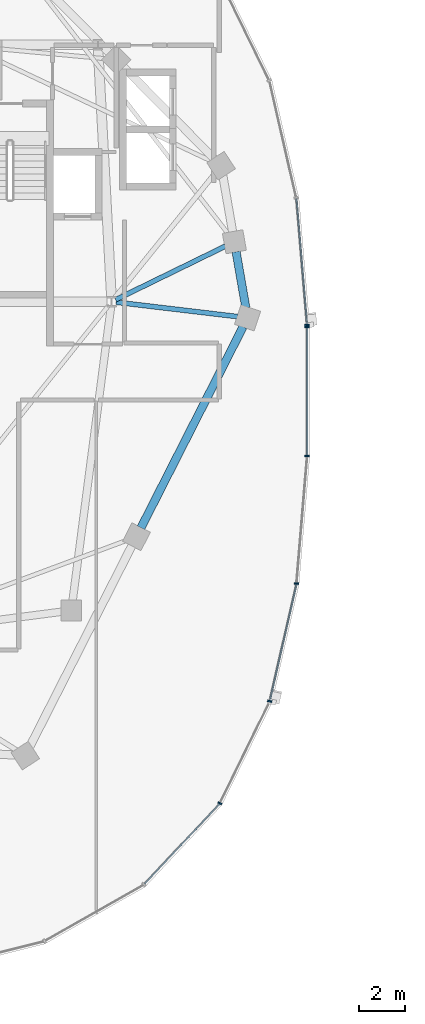
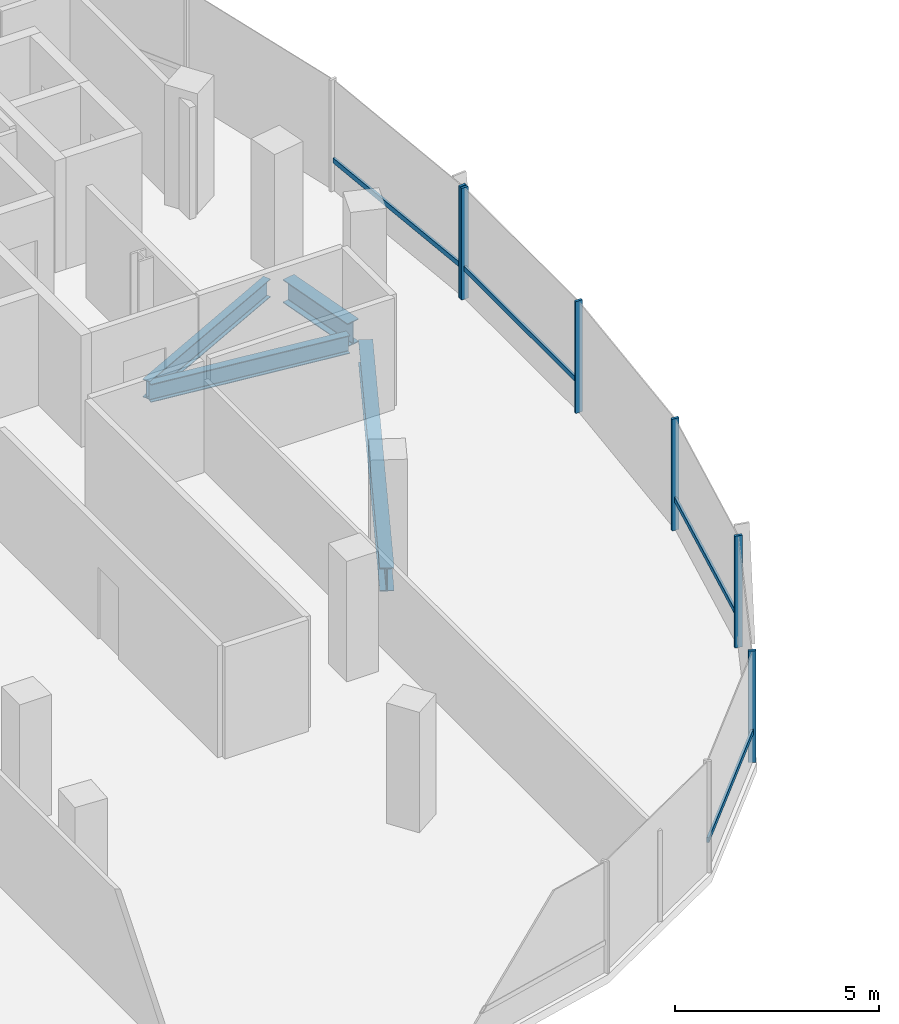
# One storey, part 5 of 25: 10 members, 4 beams, 2 elements without a shape of their own.
"""IFC4 building model written with IfcOpenShell, lengths in metres."""

from ifc_helpers import new_model, si_unit, direction, frame, origin, origin_2d, place, context, subcontext, project, spatial, rectangle, i_section, extrude, material, material_profile, profile_set, type_object, element, aggregate, save


model = new_model("IFC4")

# Units and contexts
model_context = context("Model", 3, precision=1e-05, world=origin(), true_north=direction((0.0, 1.0)))
body_context = subcontext(model_context, "Body", "Model", "MODEL_VIEW")
ifc_project = project(units=[si_unit("LENGTHUNIT", "METRE"), si_unit("AREAUNIT", "SQUARE_METRE"), si_unit("VOLUMEUNIT", "CUBIC_METRE"), si_unit("PLANEANGLEUNIT", "RADIAN"), si_unit("MASSUNIT", "GRAM", prefix="KILO"), si_unit("THERMODYNAMICTEMPERATUREUNIT", "KELVIN"), si_unit("POWERUNIT", "WATT")], contexts=[model_context])

# Site, building, storey
site_placement = place(None, origin())
site = spatial("IfcSite", under=ifc_project, at=site_placement, CompositionType="ELEMENT")
building_placement = place(site_placement, origin())
building = spatial("IfcBuilding", under=site, at=building_placement, Name="Cundina Bronze Exchange", CompositionType="ELEMENT")
storey_placement = place(building_placement, frame((0.0, 0.0, 195.39990234375)))
storey = spatial("IfcBuildingStorey", under=building, at=storey_placement, Name="L51", CompositionType="ELEMENT", Elevation=195.39990234375)

# Beams
ifc_material_1 = material(Name="Steel ASTM A992 Grade 50", Category="steel")
ifc_material_profile_1 = material_profile(ifc_material_1, i_section(OverallWidth=0.2119140625, OverallDepth=0.5439453125, WebThickness=0.01318359375, FlangeThickness=0.021240234375, FilletRadius=0.013916015625, at=origin_2d()), Name="W21X83", Category="steel")
ifc_profile_set_1 = profile_set([ifc_material_profile_1], Name="Steel ASTM A992 Grade 50")
beam_type_1 = type_object("IfcBeamType", Name="BM-FLR-W21A", PredefinedType="BEAM", material=ifc_profile_set_1)
beam_1_placement = place(storey_placement, frame((-21.25537109375, 3.876953125, -0.531982421875), z_axis=(0.993036786722, -0.117804669761, 0.0), x_axis=(0.117804669761, 0.993036786722, 0.0)))
element("IfcBeam", 1, at=beam_1_placement, inside=storey, type_object=beam_type_1, Name="L51 Leg W Radial Floor Beam 00", PredefinedType="BEAM", context=body_context, shape_type="SweptSolid", body=[
    extrude(i_section(OverallWidth=0.2119140625, OverallDepth=0.5439453125, WebThickness=0.01318359375, FlangeThickness=0.021240234375, FilletRadius=0.013916015625, at=origin_2d()), origin(), (0.0, 0.0, 1.0), 5.307373046875),
])
beam_2_placement = place(storey_placement, frame((-21.27392578125, 3.986083984375, -0.531982421875), z_axis=(0.898613202677, 0.438741737214, 0.0), x_axis=(-0.438741737214, 0.898613202677, 0.0)))
element("IfcBeam", 2, at=beam_2_placement, inside=storey, type_object=beam_type_1, Name="L51 Leg W Radial Floor Beam 01", PredefinedType="BEAM", context=body_context, shape_type="SweptSolid", body=[
    extrude(i_section(OverallWidth=0.2119140625, OverallDepth=0.5439453125, WebThickness=0.01318359375, FlangeThickness=0.021240234375, FilletRadius=0.013916015625, at=origin_2d()), origin(), (0.0, 0.0, 1.0), 5.2919921875),
])
ifc_material_profile_2 = material_profile(ifc_material_1, i_section(OverallWidth=0.35498046875, OverallDepth=0.695068359375, WebThickness=0.015380859375, FlangeThickness=0.02490234375, FilletRadius=0.01806640625, at=origin_2d()), Name="W27X146", Category="steel")
ifc_profile_set_2 = profile_set([ifc_material_profile_2], Name="Steel ASTM A992 Grade 50")
beam_type_2 = type_object("IfcBeamType", Name="BM-RING-W27", PredefinedType="USERDEFINED", material=ifc_profile_set_2)
beam_3_placement = place(storey_placement, frame((-15.625244140625, 3.631591796875, -0.607421875), z_axis=(-0.171628556628, 0.985161732179, 0.0), x_axis=(-0.985161732179, -0.171628556628, 0.0)))
element("IfcBeam", 3, at=beam_3_placement, inside=storey, type_object=beam_type_2, Name="L51 W Perimeter Ring Girder 00", ObjectType="GIRDER", PredefinedType="USERDEFINED", context=body_context, shape_type="SweptSolid", body=[
    extrude(i_section(OverallWidth=0.35498046875, OverallDepth=0.695068359375, WebThickness=0.015380859375, FlangeThickness=0.02490234375, FilletRadius=0.01806640625, at=origin_2d()), origin(), (0.0, 0.0, 1.0), 2.4736328125),
])
beam_4_placement = place(storey_placement, frame((-20.1767578125, -5.909423828125, -0.607421875), z_axis=(0.452846871434, 0.891588308039, 0.0), x_axis=(-0.891588308039, 0.452846871434, 0.0)))
element("IfcBeam", 4, at=beam_4_placement, inside=storey, type_object=beam_type_2, Name="L51 W Perimeter Ring Girder 13", ObjectType="GIRDER", PredefinedType="USERDEFINED", context=body_context, shape_type="SweptSolid", body=[
    extrude(i_section(OverallWidth=0.35498046875, OverallDepth=0.695068359375, WebThickness=0.015380859375, FlangeThickness=0.02490234375, FilletRadius=0.01806640625, at=origin_2d()), origin(), (0.0, 0.0, 1.0), 9.779052734375),
])

# Curtain wall, member
ifc_material_2 = material(Name="Anodised Bronze Aluminium 6063-T6", Category="aluminium")
curtain_wall_type = type_object("IfcCurtainWallType", Name="CWS-UPP-OFF", PredefinedType="NOTDEFINED", material=ifc_material_2)
curtain_wall_1_placement = place(storey_placement, origin())
curtain_wall_1 = element("IfcCurtainWall", 5, at=curtain_wall_1_placement, inside=storey, type_object=curtain_wall_type, Name="L51 CW-05 Curtain Wall Run CWR-L51-W1", PredefinedType="NOTDEFINED")
ifc_material_profile_3 = material_profile(ifc_material_2, rectangle(XDim=0.070068359375, YDim=0.18994140625, at=origin_2d()), Name="AL70X190", Category="aluminium")
ifc_profile_set_3 = profile_set([ifc_material_profile_3], Name="Anodised Bronze Aluminium 6063-T6")
member_type_1 = type_object("IfcMemberType", Name="CWM-MUL-190", PredefinedType="MULLION", material=ifc_profile_set_3)
member_1_placement = place(storey_placement, frame((-12.9697265625, 2.88330078125, 0.0), z_axis=(0.0, 0.0, 1.0), x_axis=(-0.083677843332, 0.99649285925, 0.0)))
member_1 = element("IfcMember", 6, at=member_1_placement, type_object=member_type_1, Name="CW-05 Mullion 1", PredefinedType="MULLION", context=body_context, shape_type="SweptSolid", body=[
    extrude(rectangle(XDim=0.070068359375, YDim=0.18994140625, at=origin_2d()), origin(), (0.0, 0.0, 1.0), 3.340087890625),
])

# Curtain wall, members
curtain_wall_2_placement = place(storey_placement, origin())
curtain_wall_2 = element("IfcCurtainWall", 7, at=curtain_wall_2_placement, inside=storey, type_object=curtain_wall_type, Name="L51 CW-05 Curtain Wall Run CWR-L51-W4", PredefinedType="NOTDEFINED")
member_2_placement = place(storey_placement, frame((-16.754638671875, -17.866455078125, 0.0), z_axis=(0.0, 0.0, 1.0), x_axis=(0.440566004113, 0.897720221461, 0.0)))
member_2 = element("IfcMember", 8, at=member_2_placement, type_object=member_type_1, Name="CW-05 Mullion 4", PredefinedType="MULLION", context=body_context, shape_type="SweptSolid", body=[
    extrude(rectangle(XDim=0.070068359375, YDim=0.18994140625, at=origin_2d()), origin(), (0.0, 0.0, 1.0), 3.340087890625),
])
member_3_placement = place(storey_placement, frame((-14.59228515625, -13.440673828125, 0.0), z_axis=(0.0, 0.0, 1.0), x_axis=(0.223250116011, 0.974761194191, 0.0)))
member_3 = element("IfcMember", 9, at=member_3_placement, type_object=member_type_1, Name="CW-05 Mullion 5", PredefinedType="MULLION", context=body_context, shape_type="SweptSolid", body=[
    extrude(rectangle(XDim=0.070068359375, YDim=0.18994140625, at=origin_2d()), origin(), (0.0, 0.0, 1.0), 3.340087890625),
])
member_4_placement = place(storey_placement, frame((-13.427490234375, -8.33056640625, 0.0), z_axis=(0.0, 0.0, 1.0), x_axis=(0.083677843332, 0.99649285925, 0.0)))
member_4 = element("IfcMember", 10, at=member_4_placement, type_object=member_type_1, Name="CW-05 Mullion 6", PredefinedType="MULLION", context=body_context, shape_type="SweptSolid", body=[
    extrude(rectangle(XDim=0.070068359375, YDim=0.18994140625, at=origin_2d()), origin(), (0.0, 0.0, 1.0), 3.340087890625),
])
member_5_placement = place(storey_placement, frame((-12.966064453125, -2.794921875, 0.0), z_axis=(0.0, 0.0, 1.0), x_axis=(0.0, 1.0, 0.0)))
member_5 = element("IfcMember", 11, at=member_5_placement, type_object=member_type_1, Name="CW-05 Mullion 7", PredefinedType="MULLION", context=body_context, shape_type="SweptSolid", body=[
    extrude(rectangle(XDim=0.070068359375, YDim=0.18994140625, at=origin_2d()), origin(), (0.0, 0.0, 1.0), 3.340087890625),
])
member_6_placement = place(storey_placement, frame((-12.966064453125, 2.794921875, 0.0), z_axis=(0.0, 0.0, 1.0), x_axis=(0.0, 1.0, 0.0)))
member_6 = element("IfcMember", 12, at=member_6_placement, type_object=member_type_1, Name="CW-05 End Mullion", PredefinedType="MULLION", context=body_context, shape_type="SweptSolid", body=[
    extrude(rectangle(XDim=0.070068359375, YDim=0.18994140625, at=origin_2d()), origin(), (0.0, 0.0, 1.0), 3.340087890625),
])

# Member
ifc_material_profile_4 = material_profile(ifc_material_2, rectangle(XDim=0.06494140625, YDim=0.14990234375, at=origin_2d()), Name="AL65X150", Category="aluminium")
ifc_profile_set_4 = profile_set([ifc_material_profile_4], Name="Anodised Bronze Aluminium 6063-T6")
member_type_2 = type_object("IfcMemberType", Name="CWM-TRN-150", PredefinedType="USERDEFINED", material=ifc_profile_set_4)
member_7_placement = place(storey_placement, frame((-12.972900390625, 2.921630859375, 0.920166015625), z_axis=(-0.083740331158, 0.996487610027, 0.0), x_axis=(-0.996487610027, -0.083740331158, 0.0)))
member_7 = element("IfcMember", 13, at=member_7_placement, type_object=member_type_2, Name="CW-05 Spandrel Transom 1", ObjectType="TRANSOM", PredefinedType="USERDEFINED", context=body_context, shape_type="SweptSolid", body=[
    extrude(rectangle(XDim=0.06494140625, YDim=0.14990234375, at=origin_2d()), origin(), (0.0, 0.0, 1.0), 5.466552734375),
])

aggregate(curtain_wall_1, [member_1, member_7])

member_8_placement = place(storey_placement, frame((-20.02490234375, -21.364501953125, 0.920166015625), z_axis=(0.684336416554, 0.729166420633, 0.0), x_axis=(-0.729166420633, 0.684336416554, 0.0)))
member_8 = element("IfcMember", 14, at=member_8_placement, type_object=member_type_2, Name="CW-05 Spandrel Transom 3", ObjectType="TRANSOM", PredefinedType="USERDEFINED", context=body_context, shape_type="SweptSolid", body=[
    extrude(rectangle(XDim=0.06494140625, YDim=0.14990234375, at=origin_2d()), origin(), (0.0, 0.0, 1.0), 4.76513671875),
])

member_9_placement = place(storey_placement, frame((-14.58349609375, -13.403076171875, 0.920166015625), z_axis=(0.22328343579, 0.974753562344, 0.0), x_axis=(-0.974753562344, 0.22328343579, 0.0)))
member_9 = element("IfcMember", 15, at=member_9_placement, type_object=member_type_2, Name="CW-05 Spandrel Transom 5", ObjectType="TRANSOM", PredefinedType="USERDEFINED", context=body_context, shape_type="SweptSolid", body=[
    extrude(rectangle(XDim=0.06494140625, YDim=0.14990234375, at=origin_2d()), origin(), (0.0, 0.0, 1.0), 5.159912109375),
])

member_10_placement = place(storey_placement, frame((-12.966064453125, -2.756591796875, 0.920166015625), z_axis=(0.0, 1.0, 0.0), x_axis=(-1.0, 0.0, 0.0)))
member_10 = element("IfcMember", 16, at=member_10_placement, type_object=member_type_2, Name="CW-05 Spandrel Transom 7", ObjectType="TRANSOM", PredefinedType="USERDEFINED", context=body_context, shape_type="SweptSolid", body=[
    extrude(rectangle(XDim=0.06494140625, YDim=0.14990234375, at=origin_2d()), origin(), (0.0, 0.0, 1.0), 5.51318359375),
])

aggregate(curtain_wall_2, [member_8, member_2, member_3, member_9, member_4, member_5, member_6, member_10])

save(model, "model.ifc")
